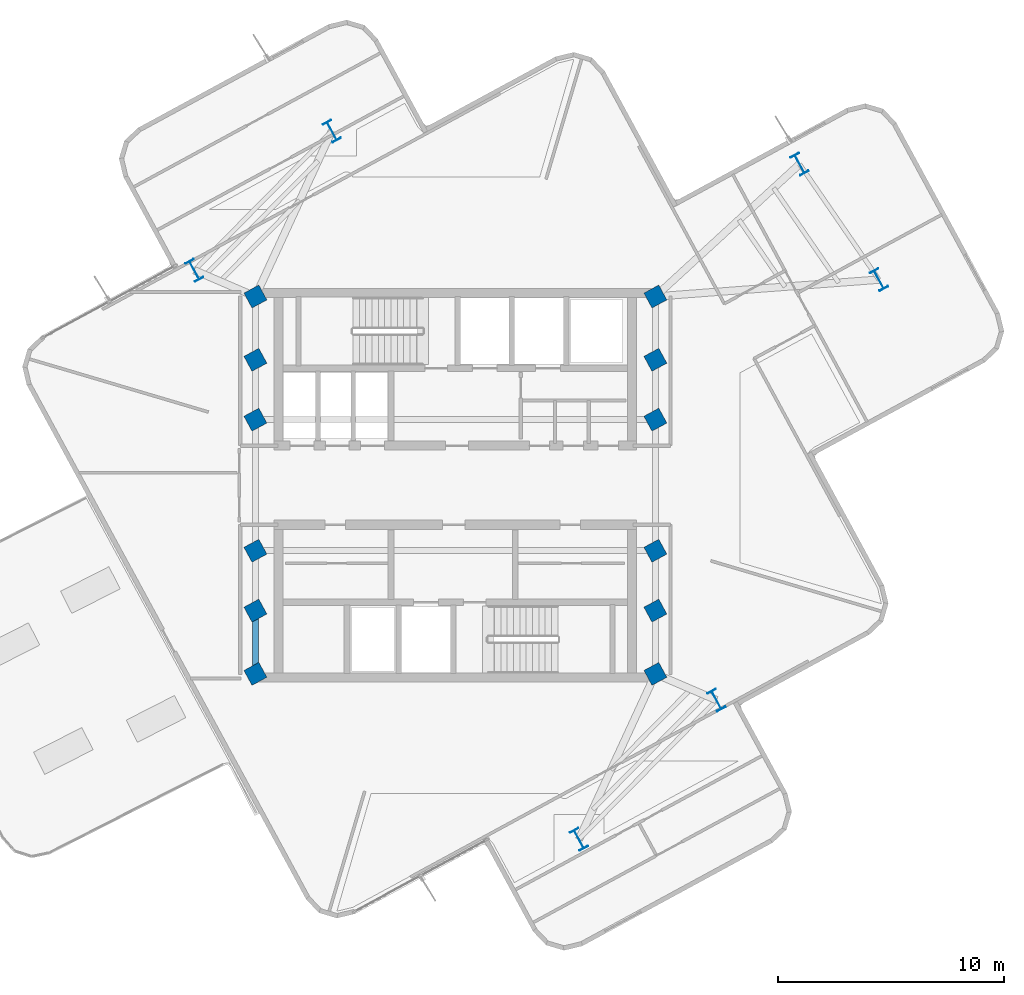
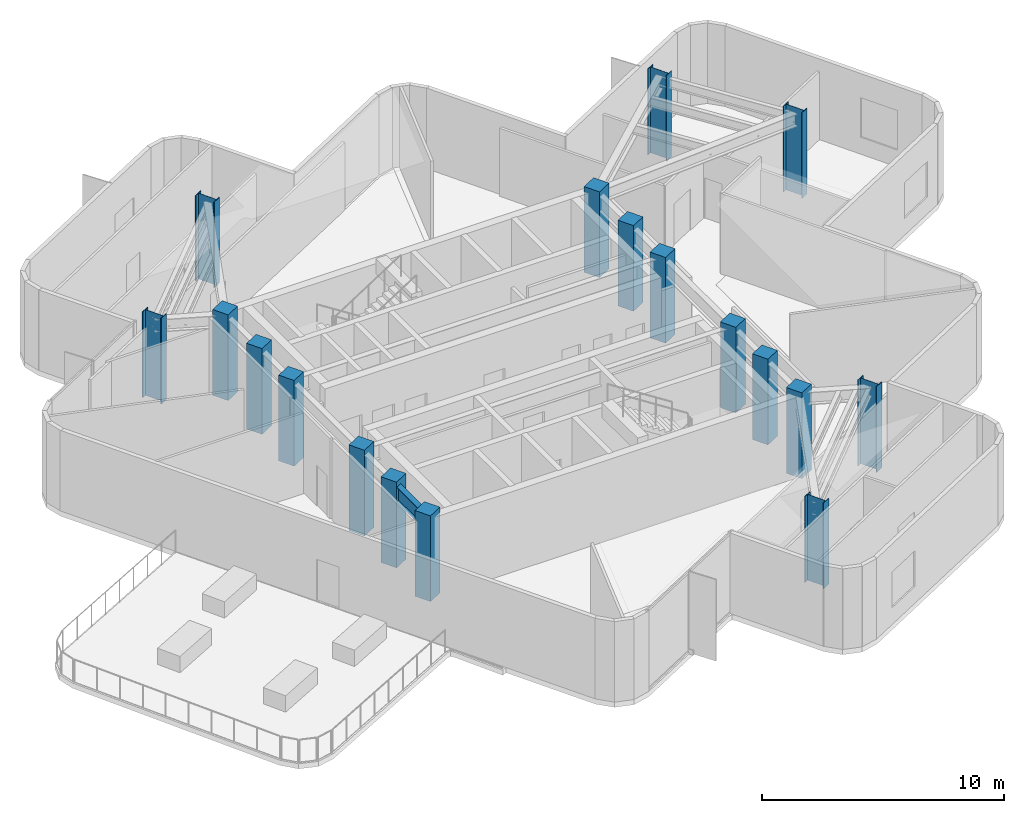
# One storey, part 1 of 10: 18 columns, 1 beam.
"""IFC4 building model written with IfcOpenShell, lengths in metres."""

from ifc_helpers import new_model, si_unit, direction, frame, origin, origin_2d, place, context, subcontext, project, spatial, rectangle, i_section, extrude, material, material_profile, profile_set, type_object, element, save


model = new_model("IFC4")

# Units and contexts
model_context = context("Model", 3, precision=1e-05, world=origin(), true_north=direction((0.0, 1.0)))
body_context = subcontext(model_context, "Body", "Model", "MODEL_VIEW")
ifc_project = project(units=[si_unit("LENGTHUNIT", "METRE"), si_unit("AREAUNIT", "SQUARE_METRE"), si_unit("VOLUMEUNIT", "CUBIC_METRE"), si_unit("PLANEANGLEUNIT", "RADIAN"), si_unit("MASSUNIT", "GRAM", prefix="KILO")], contexts=[model_context])

# Site, building, storey
site_placement = place(None, origin())
site = spatial("IfcSite", under=ifc_project, at=site_placement, CompositionType="ELEMENT")
building_placement = place(site_placement, origin())
building = spatial("IfcBuilding", under=site, at=building_placement, Name="Solmarez Civic Tower", CompositionType="ELEMENT")
storey_placement = place(building_placement, frame((0.0, 0.0, 200.8798828125)))
storey = spatial("IfcBuildingStorey", under=building, at=storey_placement, Name="L53", CompositionType="ELEMENT", Elevation=200.8798828125)

# Columns
ifc_material_1 = material(Name="Concrete C50/60", Category="concrete")
ifc_material_profile_1 = material_profile(ifc_material_1, rectangle(XDim=0.75, YDim=0.75, at=origin_2d()), Name="RC750X750")
ifc_profile_set_1 = profile_set([ifc_material_profile_1], Name="Concrete C50/60")
column_type_1 = type_object("IfcColumnType", Name="COL-RC750", PredefinedType="COLUMN", material=ifc_profile_set_1)
for number, where, z_axis, x_axis, name in (
    (1, (-8.85009765625, -5.550048828125, 0.0), (0.0, 0.0, 1.0), (0.878817112662, 0.47715876026, 0.0), "L53 Structural Column HC1"),
    (2, (-8.85009765625, -2.89990234375, 0.0), (0.0, 0.0, 1.0), (0.878817112662, 0.47715876026, 0.0), "L53 Structural Column HC2"),
    (3, (-8.85009765625, 2.89990234375, 0.0), (0.0, 0.0, 1.0), (0.878817112662, 0.47715876026, 0.0), "L53 Structural Column HC3"),
    (4, (-8.85009765625, 5.550048828125, 0.0), (0.0, 0.0, 1.0), (0.878817112662, 0.47715876026, 0.0), "L53 Structural Column HC4"),
    (5, (8.85009765625, -5.550048828125, 0.0), (0.0, 0.0, 1.0), (0.878817112662, 0.47715876026, 0.0), "L53 Structural Column HC5"),
    (6, (8.85009765625, -2.89990234375, 0.0), (0.0, 0.0, 1.0), (0.878817112662, 0.47715876026, 0.0), "L53 Structural Column HC6"),
    (7, (8.85009765625, 2.89990234375, 0.0), (0.0, 0.0, 1.0), (0.878817112662, 0.47715876026, 0.0), "L53 Structural Column HC7"),
    (8, (8.85009765625, 5.550048828125, 0.0), (0.0, 0.0, 1.0), (0.878817112662, 0.47715876026, 0.0), "L53 Structural Column HC8"),
    (9, (-8.85009765625, 8.35009765625, 0.0), (0.0, 0.0, 1.0), (0.878817112662, 0.47715876026, 0.0), "L53 Structural Column HC9"),
    (10, (8.85009765625, -8.35009765625, 0.0), (0.0, 0.0, 1.0), (0.878817112662, 0.47715876026, 0.0), "L53 Structural Column HC10"),
    (11, (8.85009765625, 8.35009765625, 0.0), (0.0, 0.0, 1.0), (0.878817112662, 0.47715876026, 0.0), "L53 Structural Column HC11"),
    (12, (-8.85009765625, -8.35009765625, 0.0), (0.0, 0.0, 1.0), (0.878817112662, 0.47715876026, 0.0), "L53 Structural Column HC12"),
):
    element("IfcColumn", number, at=place(storey_placement, frame(where, z_axis=z_axis, x_axis=x_axis)), inside=storey, type_object=column_type_1, Name=name, PredefinedType="COLUMN", context=body_context, shape_type="SweptSolid", body=[
        extrude(rectangle(XDim=0.75, YDim=0.75, at=origin_2d()), origin(), (0.0, 0.0, 1.0), 4.320068359375),
    ])
ifc_material_2 = material(Name="Steel S355", Category="steel")
ifc_material_profile_2 = material_profile(ifc_material_2, i_section(OverallWidth=0.41796875, OverallDepth=0.927001953125, WebThickness=0.019287109375, FlangeThickness=0.031982421875, at=origin_2d()), Name="W36X231")
ifc_profile_set_2 = profile_set([ifc_material_profile_2], Name="Steel S355")
column_type_2 = type_object("IfcColumnType", Name="COL-W36X231", PredefinedType="COLUMN", material=ifc_profile_set_2)
for number, where, z_axis, x_axis, name in (
    (13, (18.740966796875, 9.096923828125, 0.0), (0.0, 0.0, 1.0), (0.878817112662, 0.47715876026, 0.0), "L53 Structural Column EA11"),
    (14, (15.23388671875, 14.208984375, 0.0), (0.0, 0.0, 1.0), (0.878817112662, 0.47715876026, 0.0), "L53 Structural Column EA12"),
    (15, (-5.468017578125, 15.6708984375, 0.0), (0.0, 0.0, 1.0), (0.878817112662, 0.47715876026, 0.0), "L53 Structural Column NA11"),
    (16, (-11.553955078125, 9.510009765625, 0.0), (0.0, 0.0, 1.0), (0.878817112662, 0.47715876026, 0.0), "L53 Structural Column NA12"),
    (17, (5.468017578125, -15.6708984375, 0.0), (0.0, 0.0, 1.0), (0.878817112662, 0.47715876026, 0.0), "L53 Structural Column SA11"),
    (18, (11.553955078125, -9.510009765625, 0.0), (0.0, 0.0, 1.0), (0.878817112662, 0.47715876026, 0.0), "L53 Structural Column SA12"),
):
    element("IfcColumn", number, at=place(storey_placement, frame(where, z_axis=z_axis, x_axis=x_axis)), inside=storey, type_object=column_type_2, Name=name, PredefinedType="COLUMN", context=body_context, shape_type="SweptSolid", body=[
        extrude(i_section(OverallWidth=0.41796875, OverallDepth=0.927001953125, WebThickness=0.019287109375, FlangeThickness=0.031982421875, at=origin_2d()), origin(), (0.0, 0.0, 1.0), 4.320068359375),
    ])

# Beam
ifc_material_profile_3 = material_profile(ifc_material_2, i_section(OverallWidth=0.26708984375, OverallDepth=0.761962890625, WebThickness=0.014404296875, FlangeThickness=0.021484375, at=origin_2d()), Name="W30X116")
ifc_profile_set_3 = profile_set([ifc_material_profile_3], Name="Steel S355")
beam_type = type_object("IfcBeamType", Name="BM-PR-W30X116", PredefinedType="BEAM", material=ifc_profile_set_3)
beam_placement = place(storey_placement, frame((-8.85009765625, -8.35009765625, 3.67919921875), z_axis=(0.0, 1.0, 0.0), x_axis=(-1.0, 0.0, 0.0)))
element("IfcBeam", 19, at=beam_placement, inside=storey, type_object=beam_type, Name="L53 Primary Floor Beam BM-L53-HC12-HC1", PredefinedType="BEAM", context=body_context, shape_type="SweptSolid", body=[
    extrude(i_section(OverallWidth=0.26708984375, OverallDepth=0.761962890625, WebThickness=0.014404296875, FlangeThickness=0.021484375, at=origin_2d()), origin(), (0.0, 0.0, 1.0), 2.800048828125),
])

save(model, "model.ifc")
